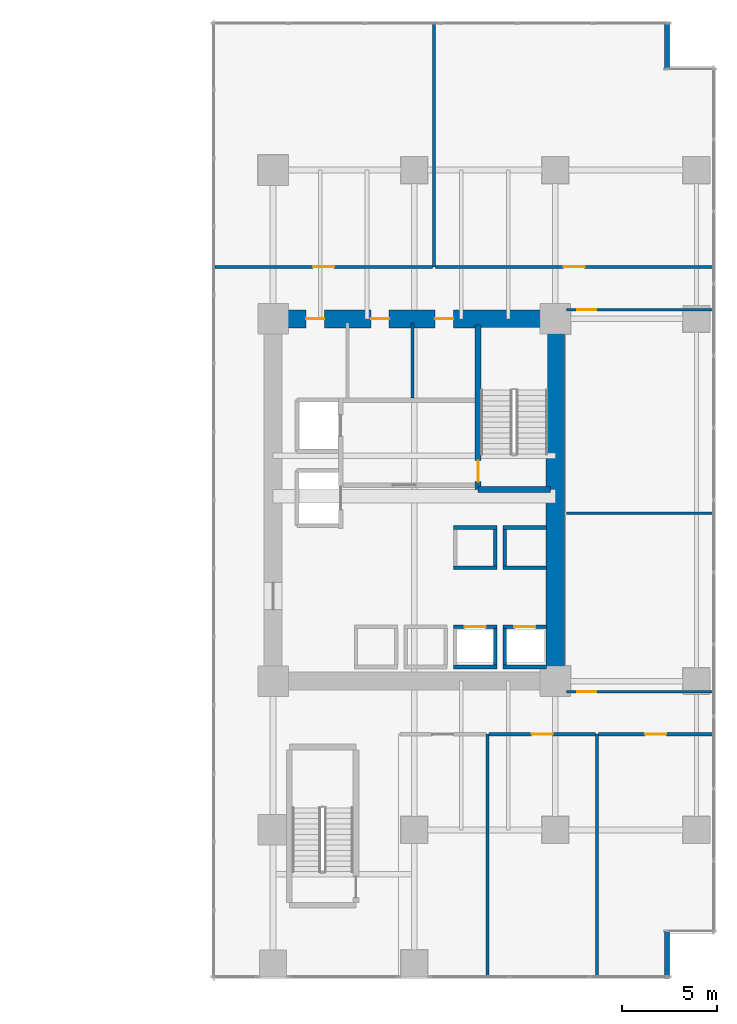
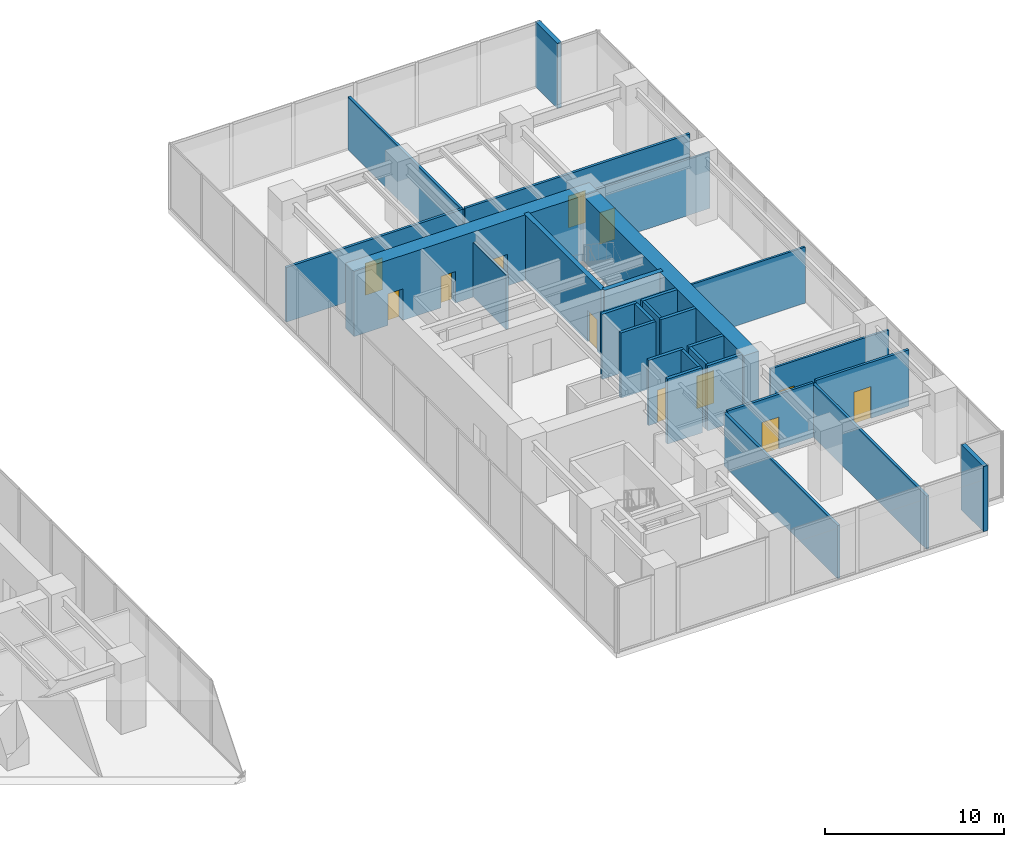
# One storey, part 27 of 33: 29 walls, 12 doors, 12 openings.
"""IFC4 building model written with IfcOpenShell, lengths in metres."""

from ifc_helpers import new_model, si_unit, direction, frame, frame_2d, origin, place, context, subcontext, project, spatial, rectangle, extrude, source, transform, mapped, material, layer, layer_set, type_object, type_shapes, element, fill, save


model = new_model("IFC4")

# Units and contexts
model_context = context("Model", 3, precision=1e-05, world=origin(), true_north=direction((0.0, 1.0)))
body_context = subcontext(model_context, "Body", "Model", "MODEL_VIEW")
ifc_project = project(units=[si_unit("LENGTHUNIT", "METRE"), si_unit("AREAUNIT", "SQUARE_METRE"), si_unit("VOLUMEUNIT", "CUBIC_METRE"), si_unit("PLANEANGLEUNIT", "RADIAN"), si_unit("MASSUNIT", "GRAM", prefix="KILO")], contexts=[model_context])

# Site, building, storey
site_placement = place(None, origin())
site = spatial("IfcSite", under=ifc_project, at=site_placement, CompositionType="ELEMENT")
building_placement = place(site_placement, origin())
building = spatial("IfcBuilding", under=site, at=building_placement, Name="Haelvirn Gate Laboratories", CompositionType="ELEMENT")
storey_placement = place(building_placement, frame((0.0, 0.0, 10.199951171875)))
storey = spatial("IfcBuildingStorey", under=building, at=storey_placement, Name="L03", CompositionType="ELEMENT", Elevation=10.199951171875)

# Walls
ifc_material_1 = material(Name="Thermally-broken bronze aluminium rainscreen & mineral wool", Category="aluminium")
ifc_layer_1 = layer(ifc_material_1, 0.280029296875, Name="EW-TERR-280")
ifc_layer_set_1 = layer_set([ifc_layer_1], Name="Thermally-broken bronze aluminium rainscreen & mineral wool")
wall_type_1 = type_object("IfcWallType", Name="EW-TERR-280", PredefinedType="STANDARD", material=ifc_layer_set_1)
wall_1_placement = place(storey_placement, frame((73.260009765625, -0.800048828125, 0.0), z_axis=(0.0, 0.0, 1.0), x_axis=(0.0, 1.0, 0.0)))
element("IfcWall", 1, at=wall_1_placement, inside=storey, type_object=wall_type_1, Name="L03 Atrium Recess Bronze Return Wall 01", PredefinedType="STANDARD", context=body_context, shape_type="SweptSolid", body=[
    extrude(rectangle(XDim=2.488037109375, YDim=0.280029296875, at=frame_2d((1.244140625, 0.0))), origin(), (0.0, 0.0, 1.0), 4.449951171875),
])
wall_2_placement = place(storey_placement, frame((73.260009765625, 46.912109375, 0.0), z_axis=(0.0, 0.0, 1.0), x_axis=(0.0, 1.0, 0.0)))
element("IfcWall", 2, at=wall_2_placement, inside=storey, type_object=wall_type_1, Name="L03 Atrium Recess Bronze Return Wall 05", PredefinedType="STANDARD", context=body_context, shape_type="SweptSolid", body=[
    extrude(rectangle(XDim=2.48779296875, YDim=0.280029296875, at=frame_2d((1.243896484375, 0.0))), origin(), (0.0, 0.0, 1.0), 4.449951171875),
])
ifc_material_2 = material(Name="Acoustic mineral-wool gypsum board partition", Category="gypsum")
ifc_layer_2 = layer(ifc_material_2, 0.139892578125, Name="IW-PART-140")
ifc_layer_set_2 = layer_set([ifc_layer_2], Name="Acoustic mineral-wool gypsum board partition")
wall_type_2 = type_object("IfcWallType", Name="IW-PART-140", PredefinedType="PARTITIONING", material=ifc_layer_set_2)
wall_3_placement = place(storey_placement, frame((68.0, 23.60009765625, 0.0), z_axis=(0.0, 0.0, 1.0), x_axis=(1.0, 0.0, 0.0)))
element("IfcWall", 3, at=wall_3_placement, inside=storey, type_object=wall_type_2, Name="L03 Interior Wall IW-L03-PODOUT-MID-E", PredefinedType="PARTITIONING", context=body_context, shape_type="SweptSolid", body=[
    extrude(rectangle(XDim=7.64990234375, YDim=0.139892578125, at=frame_2d((3.824951171875, 0.0))), origin(), (0.0, 0.0, 1.0), 3.8349609375),
])

# Wall, opening, door
wall_4_placement = place(storey_placement, frame((68.0, 14.25, 0.0), z_axis=(0.0, 0.0, 1.0), x_axis=(1.0, 0.0, 0.0)))
wall_4 = element("IfcWall", 4, at=wall_4_placement, inside=storey, type_object=wall_type_2, Name="L03 Interior Wall IW-L03-PODOUTW-E-S", PredefinedType="PARTITIONING", context=body_context, shape_type="SweptSolid", body=[
    extrude(rectangle(XDim=7.64990234375, YDim=0.139892578125, at=frame_2d((3.824951171875, 0.0))), origin(), (0.0, 0.0, 1.0), 3.8349609375),
])
opening_1_placement = place(wall_4_placement, frame((0.550048828125, 0.0, 0.0)))
opening_1 = element("IfcOpeningElement", 5, at=opening_1_placement, cuts=wall_4, Name="Opening D2", PredefinedType="OPENING", context=body_context, shape_type="SweptSolid", body=[
    extrude(rectangle(XDim=1.0, YDim=2.14990234375, at=frame_2d((0.5, 1.074951171875))), frame((0.0, 0.080078125, 0.0), z_axis=(0.0, -1.0, 0.0), x_axis=(1.0, 0.0, 0.0)), (0.0, 0.0, 1.0), 0.159912109375),
])
ifc_material_3 = material(Name="Acoustic solid-core timber suite door", Category="wood")
door_type_1 = type_object("IfcDoorType", Name="DR-INT-1000", OperationType="NOTDEFINED", PredefinedType="DOOR", material=ifc_material_3)
shared_shape_1 = source(origin(), body_context, "Body", "SweptSolid", [
    extrude(rectangle(XDim=1.0, YDim=2.14990234375, at=frame_2d((0.5, 1.074951171875))), frame((0.0, 0.02490234375, 0.0), z_axis=(0.0, -1.0, 0.0), x_axis=(1.0, 0.0, 0.0)), (0.0, 0.0, 1.0), 0.050048828125),
])
type_shapes(door_type_1, [shared_shape_1])
door_1_placement = place(opening_1_placement, origin())
door_1 = element("IfcDoor", 6, at=door_1_placement, inside=storey, type_object=door_type_1, Name="L03 Researcher Break Pantry Outer Wing Door", OperationType="SINGLE_SWING_LEFT", OverallHeight=2.14990234375, OverallWidth=1.0, PredefinedType="DOOR", context=body_context, shape_type="MappedRepresentation", body=[
    mapped(shared_shape_1, transform((0.0, 0.0, 0.0), scale=1.0)),
])
fill(opening_1, door_1)

wall_5_placement = place(storey_placement, frame((68.0, 34.280029296875, 0.0), z_axis=(0.0, 0.0, 1.0), x_axis=(1.0, 0.0, 0.0)))
wall_5 = element("IfcWall", 7, at=wall_5_placement, inside=storey, type_object=wall_type_2, Name="L03 Interior Wall IW-L03-PODOUTW-E-N", PredefinedType="PARTITIONING", context=body_context, shape_type="SweptSolid", body=[
    extrude(rectangle(XDim=7.64990234375, YDim=0.139892578125, at=frame_2d((3.824951171875, 0.0))), origin(), (0.0, 0.0, 1.0), 3.8349609375),
])
opening_2_placement = place(wall_5_placement, frame((0.550048828125, 0.0, 0.0)))
opening_2 = element("IfcOpeningElement", 8, at=opening_2_placement, cuts=wall_5, Name="Opening D2", PredefinedType="OPENING", context=body_context, shape_type="SweptSolid", body=[
    extrude(rectangle(XDim=1.0, YDim=2.14990234375, at=frame_2d((0.5, 1.074951171875))), frame((0.0, 0.080078125, 0.0), z_axis=(0.0, -1.0, 0.0), x_axis=(1.0, 0.0, 0.0)), (0.0, 0.0, 1.0), 0.159912109375),
])
door_2_placement = place(opening_2_placement, origin())
door_2 = element("IfcDoor", 9, at=door_2_placement, inside=storey, type_object=door_type_1, Name="L03 Analytical Instrument Suite Outer Wing Door", OperationType="SINGLE_SWING_RIGHT", OverallHeight=2.14990234375, OverallWidth=1.0, PredefinedType="DOOR", context=body_context, shape_type="MappedRepresentation", body=[
    mapped(shared_shape_1, transform((0.0, 0.0, 0.0), scale=1.0)),
])
fill(opening_2, door_2)

# Wall
ifc_material_4 = material(Name="Moisture-resistant gypsum laboratory partition", Category="gypsum")
ifc_layer_3 = layer(ifc_material_4, 0.1650390625, Name="IW-PART-160")
ifc_layer_set_3 = layer_set([ifc_layer_3], Name="Moisture-resistant gypsum laboratory partition")
wall_type_3 = type_object("IfcWallType", Name="IW-PART-160", PredefinedType="PARTITIONING", material=ifc_layer_set_3)
wall_6_placement = place(storey_placement, frame((63.842041015625, -0.68994140625, 0.0), z_axis=(0.0, 0.0, 1.0), x_axis=(0.0, 1.0, 0.0)))
element("IfcWall", 10, at=wall_6_placement, inside=storey, type_object=wall_type_3, Name="L03 Interior Wall IW-L03-PODSDIV-E-1", PredefinedType="PARTITIONING", context=body_context, shape_type="SweptSolid", body=[
    extrude(rectangle(XDim=12.7099609375, YDim=0.1650390625, at=frame_2d((6.35498046875, 0.0))), origin(), (0.0, 0.0, 1.0), 3.635009765625),
])

# Wall, opening, door
wall_7_placement = place(storey_placement, frame((63.922119140625, 12.02001953125, 0.0), z_axis=(0.0, 0.0, 1.0), x_axis=(1.0, 0.0, 0.0)))
wall_7 = element("IfcWall", 11, at=wall_7_placement, inside=storey, type_object=wall_type_3, Name="L03 Interior Wall IW-L03-PODS-E-2", PredefinedType="PARTITIONING", context=body_context, shape_type="SweptSolid", body=[
    extrude(rectangle(XDim=5.579833984375, YDim=0.1650390625, at=frame_2d((2.7900390625, 0.0))), origin(), (0.0, 0.0, 1.0), 3.735107421875),
])
opening_3_placement = place(wall_7_placement, frame((2.239990234375, 0.0, 0.0)))
opening_3 = element("IfcOpeningElement", 12, at=opening_3_placement, cuts=wall_7, Name="Opening D1", PredefinedType="OPENING", context=body_context, shape_type="SweptSolid", body=[
    extrude(rectangle(XDim=1.10009765625, YDim=2.179931640625, at=frame_2d((0.550048828125, 1.08984375))), frame((0.0, 0.092529296875, 0.0), z_axis=(0.0, -1.0, 0.0), x_axis=(1.0, 0.0, 0.0)), (0.0, 0.0, 1.0), 0.18505859375),
])
ifc_material_5 = material(Name="Vision-panel acoustic solid-core timber lab door", Category="wood")
door_type_2 = type_object("IfcDoorType", Name="DR-LAB-1100", OperationType="NOTDEFINED", PredefinedType="DOOR", material=ifc_material_5)
shared_shape_2 = source(origin(), body_context, "Body", "SweptSolid", [
    extrude(rectangle(XDim=1.10009765625, YDim=2.179931640625, at=frame_2d((0.550048828125, 1.08984375))), frame((0.0, 0.02490234375, 0.0), z_axis=(0.0, -1.0, 0.0), x_axis=(1.0, 0.0, 0.0)), (0.0, 0.0, 1.0), 0.050048828125),
])
type_shapes(door_type_2, [shared_shape_2])
door_3_placement = place(opening_3_placement, origin())
door_3 = element("IfcDoor", 13, at=door_3_placement, inside=storey, type_object=door_type_2, Name="L03 Cryo-Preservation Bio-Repository Laboratory Door", OperationType="SINGLE_SWING_RIGHT", OverallHeight=2.179931640625, OverallWidth=1.10009765625, PredefinedType="DOOR", context=body_context, shape_type="MappedRepresentation", body=[
    mapped(shared_shape_2, transform((0.0, 0.0, 0.0), scale=1.0)),
])
fill(opening_3, door_3)

# Wall
wall_8_placement = place(storey_placement, frame((69.58203125, -0.68994140625, 0.0), z_axis=(0.0, 0.0, 1.0), x_axis=(0.0, 1.0, 0.0)))
element("IfcWall", 14, at=wall_8_placement, inside=storey, type_object=wall_type_3, Name="L03 Interior Wall IW-L03-PODSDIV-E-2", PredefinedType="PARTITIONING", context=body_context, shape_type="SweptSolid", body=[
    extrude(rectangle(XDim=12.7099609375, YDim=0.1650390625, at=frame_2d((6.35498046875, 0.0))), origin(), (0.0, 0.0, 1.0), 3.635009765625),
])

# Wall, opening, door
wall_9_placement = place(storey_placement, frame((69.662109375, 12.02001953125, 0.0), z_axis=(0.0, 0.0, 1.0), x_axis=(1.0, 0.0, 0.0)))
wall_9 = element("IfcWall", 15, at=wall_9_placement, inside=storey, type_object=wall_type_3, Name="L03 Interior Wall IW-L03-PODS-E-3", PredefinedType="PARTITIONING", context=body_context, shape_type="SweptSolid", body=[
    extrude(rectangle(XDim=5.98779296875, YDim=0.1650390625, at=frame_2d((2.993896484375, 0.0))), origin(), (0.0, 0.0, 1.0), 3.8349609375),
])
opening_4_placement = place(wall_9_placement, frame((2.444091796875, 0.0, 0.0)))
opening_4 = element("IfcOpeningElement", 16, at=opening_4_placement, cuts=wall_9, Name="Opening D1", PredefinedType="OPENING", context=body_context, shape_type="SweptSolid", body=[
    extrude(rectangle(XDim=1.10009765625, YDim=2.179931640625, at=frame_2d((0.550048828125, 1.08984375))), frame((0.0, 0.092529296875, 0.0), z_axis=(0.0, -1.0, 0.0), x_axis=(1.0, 0.0, 0.0)), (0.0, 0.0, 1.0), 0.18505859375),
])
door_4_placement = place(opening_4_placement, origin())
door_4 = element("IfcDoor", 17, at=door_4_placement, inside=storey, type_object=door_type_2, Name="L03 Researcher Break Pantry Door", OperationType="SINGLE_SWING_LEFT", OverallHeight=2.179931640625, OverallWidth=1.10009765625, PredefinedType="DOOR", context=body_context, shape_type="MappedRepresentation", body=[
    mapped(shared_shape_2, transform((0.0, 0.0, 0.0), scale=1.0)),
])
fill(opening_4, door_4)

wall_10_placement = place(storey_placement, frame((49.550048828125, 36.52001953125, 0.0), z_axis=(0.0, 0.0, 1.0), x_axis=(1.0, 0.0, 0.0)))
wall_10 = element("IfcWall", 18, at=wall_10_placement, inside=storey, type_object=wall_type_3, Name="L03 Interior Wall IW-L03-PODN-E-1", PredefinedType="PARTITIONING", context=body_context, shape_type="SweptSolid", body=[
    extrude(rectangle(XDim=11.404052734375, YDim=0.1650390625, at=frame_2d((5.7021484375, 0.0))), origin(), (0.0, 0.0, 1.0), 3.735107421875),
])
opening_5_placement = place(wall_10_placement, frame((5.152099609375, 0.0, 0.0)))
opening_5 = element("IfcOpeningElement", 19, at=opening_5_placement, cuts=wall_10, Name="Opening D1", PredefinedType="OPENING", context=body_context, shape_type="SweptSolid", body=[
    extrude(rectangle(XDim=1.10009765625, YDim=2.179931640625, at=frame_2d((0.550048828125, 1.08984375))), frame((0.0, 0.092529296875, 0.0), z_axis=(0.0, -1.0, 0.0), x_axis=(1.0, 0.0, 0.0)), (0.0, 0.0, 1.0), 0.18505859375),
])
door_5_placement = place(opening_5_placement, origin())
door_5 = element("IfcDoor", 20, at=door_5_placement, inside=storey, type_object=door_type_2, Name="L03 Bioprocess Foundry Laboratory North Door", OperationType="SINGLE_SWING_RIGHT", OverallHeight=2.179931640625, OverallWidth=1.10009765625, PredefinedType="DOOR", context=body_context, shape_type="MappedRepresentation", body=[
    mapped(shared_shape_2, transform((0.0, 0.0, 0.0), scale=1.0)),
])
fill(opening_5, door_5)

# Wall
wall_11_placement = place(storey_placement, frame((61.033935546875, 36.52001953125, 0.0), z_axis=(0.0, 0.0, 1.0), x_axis=(0.0, 1.0, 0.0)))
element("IfcWall", 21, at=wall_11_placement, inside=storey, type_object=wall_type_3, Name="L03 Interior Wall IW-L03-PODNDIV-E-1", PredefinedType="PARTITIONING", context=body_context, shape_type="SweptSolid", body=[
    extrude(rectangle(XDim=12.77001953125, YDim=0.1650390625, at=frame_2d((6.385009765625, 0.0))), origin(), (0.0, 0.0, 1.0), 3.635009765625),
])

# Wall, opening, door
wall_12_placement = place(storey_placement, frame((61.114013671875, 36.52001953125, 0.0), z_axis=(0.0, 0.0, 1.0), x_axis=(1.0, 0.0, 0.0)))
wall_12 = element("IfcWall", 22, at=wall_12_placement, inside=storey, type_object=wall_type_3, Name="L03 Interior Wall IW-L03-PODN-E-2", PredefinedType="PARTITIONING", context=body_context, shape_type="SweptSolid", body=[
    extrude(rectangle(XDim=14.535888671875, YDim=0.1650390625, at=frame_2d((7.26806640625, 0.0))), origin(), (0.0, 0.0, 1.0), 3.735107421875),
])
opening_6_placement = place(wall_12_placement, frame((6.718017578125, 0.0, 0.0)))
opening_6 = element("IfcOpeningElement", 23, at=opening_6_placement, cuts=wall_12, Name="Opening D1", PredefinedType="OPENING", context=body_context, shape_type="SweptSolid", body=[
    extrude(rectangle(XDim=1.10009765625, YDim=2.179931640625, at=frame_2d((0.550048828125, 1.08984375))), frame((0.0, 0.092529296875, 0.0), z_axis=(0.0, -1.0, 0.0), x_axis=(1.0, 0.0, 0.0)), (0.0, 0.0, 1.0), 0.18505859375),
])
door_6_placement = place(opening_6_placement, origin())
door_6 = element("IfcDoor", 24, at=door_6_placement, inside=storey, type_object=door_type_2, Name="L03 Genomics Assay Laboratory North Door", OperationType="SINGLE_SWING_LEFT", OverallHeight=2.179931640625, OverallWidth=1.10009765625, PredefinedType="DOOR", context=body_context, shape_type="MappedRepresentation", body=[
    mapped(shared_shape_2, transform((0.0, 0.0, 0.0), scale=1.0)),
])
fill(opening_6, door_6)

# Walls
ifc_material_6 = material(Name="Cement-board restroom plumbing chase wall", Category="gypsum")
ifc_layer_4 = layer(ifc_material_6, 0.155029296875, Name="IW-PLUMB-160")
ifc_layer_set_4 = layer_set([ifc_layer_4], Name="Cement-board restroom plumbing chase wall")
wall_type_4 = type_object("IfcWallType", Name="IW-PLUMB-160", PredefinedType="PLUMBINGWALL", material=ifc_layer_set_4)
wall_13_placement = place(storey_placement, frame((59.909912109375, 29.64990234375, 0.0), z_axis=(0.0, 0.0, 1.0), x_axis=(0.0, 1.0, 0.0)))
element("IfcWall", 25, at=wall_13_placement, inside=storey, type_object=wall_type_4, Name="L03 Interior Wall IW-L03-E-CDIV-1", PredefinedType="PLUMBINGWALL", context=body_context, shape_type="SweptSolid", body=[
    extrude(rectangle(XDim=3.93017578125, YDim=0.155029296875, at=frame_2d((1.965087890625, 0.0))), origin(), (0.0, 0.0, 1.0), 3.735107421875),
])
ifc_material_7 = material(Name="Concrete C40/50", Category="concrete")
ifc_layer_5 = layer(ifc_material_7, 0.179931640625, Name="IW-SHAFT-180")
ifc_layer_set_5 = layer_set([ifc_layer_5], Name="Concrete C40/50")
wall_type_5 = type_object("IfcWallType", Name="IW-SHAFT-180", PredefinedType="SOLIDWALL", material=ifc_layer_set_5)
for number, where, z_axis, x_axis, name in (
    (26, (64.75, 15.64990234375, 0.0), (0.0, 0.0, 1.0), (0.0, 1.0, 0.0), "L03 Interior Wall IW-L03-PL3-SD"),
    (27, (64.25, 15.64990234375, 0.0), (0.0, 0.0, 1.0), (0.0, 1.0, 0.0), "L03 Interior Wall IW-L03-PL4-SDE"),
):
    element("IfcWall", number, at=place(storey_placement, frame(where, z_axis=z_axis, x_axis=x_axis)), inside=storey, type_object=wall_type_5, Name=name, PredefinedType="SOLIDWALL", context=body_context, shape_type="SweptSolid", body=[
        extrude(rectangle(XDim=1.900146484375, YDim=0.179931640625, at=frame_2d((0.9501953125, 0.0))), origin(), (0.0, 0.0, 1.0), 4.449951171875),
    ])
for number, where, z_axis, x_axis, name in (
    (28, (64.75, 20.85009765625, 0.0), (0.0, 0.0, 1.0), (0.0, 1.0, 0.0), "L03 Interior Wall IW-L03-PL11-SD"),
    (29, (64.25, 20.85009765625, 0.0), (0.0, 0.0, 1.0), (0.0, 1.0, 0.0), "L03 Interior Wall IW-L03-PL12-SDE"),
):
    element("IfcWall", number, at=place(storey_placement, frame(where, z_axis=z_axis, x_axis=x_axis)), inside=storey, type_object=wall_type_5, Name=name, PredefinedType="SOLIDWALL", context=body_context, shape_type="SweptSolid", body=[
        extrude(rectangle(XDim=1.89990234375, YDim=0.179931640625, at=frame_2d((0.949951171875, 0.0))), origin(), (0.0, 0.0, 1.0), 4.449951171875),
    ])

# Wall, opening, door
ifc_layer_6 = layer(ifc_material_7, 0.199951171875, Name="IW-SHAFT-200")
ifc_layer_set_6 = layer_set([ifc_layer_6], Name="Concrete C40/50")
wall_type_6 = type_object("IfcWallType", Name="IW-SHAFT-200", PredefinedType="SOLIDWALL", material=ifc_layer_set_6)
wall_14_placement = place(storey_placement, frame((64.669921875, 17.64990234375, 0.0), z_axis=(0.0, 0.0, 1.0), x_axis=(1.0, 0.0, 0.0)))
wall_14 = element("IfcWall", 30, at=wall_14_placement, inside=storey, type_object=wall_type_6, Name="L03 Interior Wall IW-L03-PL3-FR", PredefinedType="SOLIDWALL", context=body_context, shape_type="SweptSolid", body=[
    extrude(rectangle(XDim=2.260009765625, YDim=0.199951171875, at=frame_2d((1.1298828125, 0.0))), origin(), (0.0, 0.0, 1.0), 4.449951171875),
])
opening_7_placement = place(wall_14_placement, frame((0.580078125, 0.0, 0.0)))
opening_7 = element("IfcOpeningElement", 31, at=opening_7_placement, cuts=wall_14, Name="Opening LD2", PredefinedType="OPENING", context=body_context, shape_type="SweptSolid", body=[
    extrude(rectangle(XDim=1.10009765625, YDim=2.219970703125, at=frame_2d((0.550048828125, 1.10986328125))), frame((0.0, 0.10986328125, 0.0), z_axis=(0.0, -1.0, 0.0), x_axis=(1.0, 0.0, 0.0)), (0.0, 0.0, 1.0), 0.219970703125),
])
ifc_material_8 = material(Name="Bronze stainless 316L sliding lift landing door")
door_type_3 = type_object("IfcDoorType", Name="DR-LD-1100", OperationType="NOTDEFINED", PredefinedType="USERDEFINED", material=ifc_material_8)
shared_shape_3 = source(origin(), body_context, "Body", "SweptSolid", [
    extrude(rectangle(XDim=1.10009765625, YDim=2.219970703125, at=frame_2d((0.550048828125, 1.10986328125))), frame((0.0, 0.02490234375, 0.0), z_axis=(0.0, -1.0, 0.0), x_axis=(1.0, 0.0, 0.0)), (0.0, 0.0, 1.0), 0.050048828125),
])
type_shapes(door_type_3, [shared_shape_3])
door_7_placement = place(opening_7_placement, origin())
door_7 = element("IfcDoor", 32, at=door_7_placement, inside=storey, type_object=door_type_3, Name="L03 Passenger Lift PL3 Landing Door", ObjectType="LANDING_DOOR", OperationType="SLIDING_TO_LEFT", OverallHeight=2.219970703125, OverallWidth=1.10009765625, PredefinedType="USERDEFINED", context=body_context, shape_type="MappedRepresentation", body=[
    mapped(shared_shape_3, transform((0.0, 0.0, 0.0), scale=1.0)),
])
fill(opening_7, door_7)

# Wall
wall_15_placement = place(storey_placement, frame((64.669921875, 15.550048828125, 0.0), z_axis=(0.0, 0.0, 1.0), x_axis=(1.0, 0.0, 0.0)))
element("IfcWall", 33, at=wall_15_placement, inside=storey, type_object=wall_type_6, Name="L03 Interior Wall IW-L03-PL3-BK", PredefinedType="SOLIDWALL", context=body_context, shape_type="SweptSolid", body=[
    extrude(rectangle(XDim=2.260009765625, YDim=0.199951171875, at=frame_2d((1.1298828125, 0.0))), origin(), (0.0, 0.0, 1.0), 4.449951171875),
])

# Wall, opening, door
wall_16_placement = place(storey_placement, frame((62.070068359375, 17.64990234375, 0.0), z_axis=(0.0, 0.0, 1.0), x_axis=(1.0, 0.0, 0.0)))
wall_16 = element("IfcWall", 34, at=wall_16_placement, inside=storey, type_object=wall_type_6, Name="L03 Interior Wall IW-L03-PL4-FR", PredefinedType="SOLIDWALL", context=body_context, shape_type="SweptSolid", body=[
    extrude(rectangle(XDim=2.260009765625, YDim=0.199951171875, at=frame_2d((1.1298828125, 0.0))), origin(), (0.0, 0.0, 1.0), 4.449951171875),
])
opening_8_placement = place(wall_16_placement, frame((0.580078125, 0.0, 0.0)))
opening_8 = element("IfcOpeningElement", 35, at=opening_8_placement, cuts=wall_16, Name="Opening LD2", PredefinedType="OPENING", context=body_context, shape_type="SweptSolid", body=[
    extrude(rectangle(XDim=1.10009765625, YDim=2.219970703125, at=frame_2d((0.550048828125, 1.10986328125))), frame((0.0, 0.10986328125, 0.0), z_axis=(0.0, -1.0, 0.0), x_axis=(1.0, 0.0, 0.0)), (0.0, 0.0, 1.0), 0.219970703125),
])
door_8_placement = place(opening_8_placement, origin())
door_8 = element("IfcDoor", 36, at=door_8_placement, inside=storey, type_object=door_type_3, Name="L03 Passenger Lift PL4 Landing Door", ObjectType="LANDING_DOOR", OperationType="SLIDING_TO_RIGHT", OverallHeight=2.219970703125, OverallWidth=1.10009765625, PredefinedType="USERDEFINED", context=body_context, shape_type="MappedRepresentation", body=[
    mapped(shared_shape_3, transform((0.0, 0.0, 0.0), scale=1.0)),
])
fill(opening_8, door_8)

# Walls
for number, where, z_axis, x_axis, name in (
    (37, (62.070068359375, 15.550048828125, 0.0), (0.0, 0.0, 1.0), (1.0, 0.0, 0.0), "L03 Interior Wall IW-L03-PL4-BK"),
    (38, (64.669921875, 20.75, 0.0), (0.0, 0.0, 1.0), (1.0, 0.0, 0.0), "L03 Interior Wall IW-L03-PL11-FR"),
    (39, (64.669921875, 22.85009765625, 0.0), (0.0, 0.0, 1.0), (1.0, 0.0, 0.0), "L03 Interior Wall IW-L03-PL11-BK"),
    (40, (62.070068359375, 20.75, 0.0), (0.0, 0.0, 1.0), (1.0, 0.0, 0.0), "L03 Interior Wall IW-L03-PL12-FR"),
    (41, (62.070068359375, 22.85009765625, 0.0), (0.0, 0.0, 1.0), (1.0, 0.0, 0.0), "L03 Interior Wall IW-L03-PL12-BK"),
):
    element("IfcWall", number, at=place(storey_placement, frame(where, z_axis=z_axis, x_axis=x_axis)), inside=storey, type_object=wall_type_6, Name=name, PredefinedType="SOLIDWALL", context=body_context, shape_type="SweptSolid", body=[
        extrude(rectangle(XDim=2.260009765625, YDim=0.199951171875, at=frame_2d((1.1298828125, 0.0))), origin(), (0.0, 0.0, 1.0), 4.449951171875),
    ])

# Wall, openings, doors
ifc_material_9 = material(Name="Concrete C70/85", Category="concrete")
ifc_layer_7 = layer(ifc_material_9, 0.949951171875, Name="SW-CORE-950")
ifc_layer_set_7 = layer_set([ifc_layer_7], Name="Concrete C70/85")
wall_type_7 = type_object("IfcWallType", Name="SW-CORE-950", PredefinedType="SHEAR", material=ifc_layer_set_7)
wall_17_placement = place(storey_placement, frame((52.125, 33.800048828125, 0.0), z_axis=(0.0, 0.0, 1.0), x_axis=(1.0, 0.0, 0.0)))
wall_17 = element("IfcWall", 42, at=wall_17_placement, inside=storey, type_object=wall_type_7, Name="L03 E Core Shear Wall N", PredefinedType="SHEAR", context=body_context, shape_type="SweptSolid", body=[
    extrude(rectangle(XDim=15.75, YDim=0.949951171875, at=frame_2d((7.875, 0.0))), origin(), (0.0, 0.0, 1.0), 4.449951171875),
])
opening_9_placement = place(wall_17_placement, frame((8.97509765625, 0.0, 0.0)))
opening_9 = element("IfcOpeningElement", 43, at=opening_9_placement, cuts=wall_17, Name="Opening FD4", PredefinedType="OPENING", context=body_context, shape_type="SweptSolid", body=[
    extrude(rectangle(XDim=0.949951171875, YDim=2.14990234375, at=frame_2d((0.47509765625, 1.074951171875))), frame((0.0, 0.48486328125, 0.0), z_axis=(0.0, -1.0, 0.0), x_axis=(1.0, 0.0, 0.0)), (0.0, 0.0, 1.0), 0.969970703125),
])
opening_10_placement = place(wall_17_placement, frame((5.610107421875, 0.0, 0.0)))
opening_10 = element("IfcOpeningElement", 44, at=opening_10_placement, cuts=wall_17, Name="Opening FD4", PredefinedType="OPENING", context=body_context, shape_type="SweptSolid", body=[
    extrude(rectangle(XDim=0.949951171875, YDim=2.14990234375, at=frame_2d((0.47509765625, 1.074951171875))), frame((0.0, 0.48486328125, 0.0), z_axis=(0.0, -1.0, 0.0), x_axis=(1.0, 0.0, 0.0)), (0.0, 0.0, 1.0), 0.969970703125),
])
opening_11_placement = place(wall_17_placement, frame((2.2099609375, 0.0, 0.0)))
opening_11 = element("IfcOpeningElement", 45, at=opening_11_placement, cuts=wall_17, Name="Opening FD4", PredefinedType="OPENING", context=body_context, shape_type="SweptSolid", body=[
    extrude(rectangle(XDim=0.949951171875, YDim=2.14990234375, at=frame_2d((0.47509765625, 1.074951171875))), frame((0.0, 0.48486328125, 0.0), z_axis=(0.0, -1.0, 0.0), x_axis=(1.0, 0.0, 0.0)), (0.0, 0.0, 1.0), 0.969970703125),
])
ifc_material_10 = material(Name="Fire-rated steel SM355 core service door", Category="steel")
door_type_4 = type_object("IfcDoorType", Name="DR-FD-950", OperationType="NOTDEFINED", PredefinedType="DOOR", material=ifc_material_10)
shared_shape_4 = source(origin(), body_context, "Body", "SweptSolid", [
    extrude(rectangle(XDim=0.949951171875, YDim=2.14990234375, at=frame_2d((0.47509765625, 1.074951171875))), frame((0.0, 0.02490234375, 0.0), z_axis=(0.0, -1.0, 0.0), x_axis=(1.0, 0.0, 0.0)), (0.0, 0.0, 1.0), 0.050048828125),
])
type_shapes(door_type_4, [shared_shape_4])
door_9_placement = place(opening_9_placement, origin())
door_9 = element("IfcDoor", 46, at=door_9_placement, inside=storey, type_object=door_type_4, Name="L03 Male Restroom Fire Door", OperationType="SINGLE_SWING_RIGHT", OverallHeight=2.14990234375, OverallWidth=0.949951171875, PredefinedType="DOOR", context=body_context, shape_type="MappedRepresentation", body=[
    mapped(shared_shape_4, transform((0.0, 0.0, 0.0), scale=1.0)),
])
fill(opening_9, door_9)
door_10_placement = place(opening_10_placement, origin())
door_10 = element("IfcDoor", 47, at=door_10_placement, inside=storey, type_object=door_type_4, Name="L03 Female Restroom Fire Door", OperationType="SINGLE_SWING_LEFT", OverallHeight=2.14990234375, OverallWidth=0.949951171875, PredefinedType="DOOR", context=body_context, shape_type="MappedRepresentation", body=[
    mapped(shared_shape_4, transform((0.0, 0.0, 0.0), scale=1.0)),
])
fill(opening_10, door_10)
door_11_placement = place(opening_11_placement, origin())
door_11 = element("IfcDoor", 48, at=door_11_placement, inside=storey, type_object=door_type_4, Name="L03 Accessible Restroom Fire Door", OperationType="SINGLE_SWING_RIGHT", OverallHeight=2.14990234375, OverallWidth=0.949951171875, PredefinedType="DOOR", context=body_context, shape_type="MappedRepresentation", body=[
    mapped(shared_shape_4, transform((0.0, 0.0, 0.0), scale=1.0)),
])
fill(opening_11, door_11)

# Wall
wall_18_placement = place(storey_placement, frame((67.39990234375, 15.27490234375, 0.0), z_axis=(0.0, 0.0, 1.0), x_axis=(0.0, 1.0, 0.0)))
element("IfcWall", 49, at=wall_18_placement, inside=storey, type_object=wall_type_7, Name="L03 E Core Shear Wall E", PredefinedType="SHEAR", context=body_context, shape_type="SweptSolid", body=[
    extrude(rectangle(XDim=18.050048828125, YDim=0.949951171875, at=frame_2d((9.02490234375, 0.0))), origin(), (0.0, 0.0, 1.0), 4.449951171875),
])

# Wall, opening, door
ifc_material_11 = material(Name="Concrete C50/60", Category="concrete")
ifc_layer_8 = layer(ifc_material_11, 0.300048828125, Name="SW-STAIR-300")
ifc_layer_set_8 = layer_set([ifc_layer_8], Name="Concrete C50/60")
wall_type_8 = type_object("IfcWallType", Name="SW-STAIR-300", PredefinedType="SHEAR", material=ifc_layer_set_8)
wall_19_placement = place(storey_placement, frame((63.35009765625, 24.85009765625, 0.0), z_axis=(0.0, 0.0, 1.0), x_axis=(0.0, 1.0, 0.0)))
wall_19 = element("IfcWall", 50, at=wall_19_placement, inside=storey, type_object=wall_type_8, Name="L03 E Core Stair Shaft Structural Wall IN", PredefinedType="SHEAR", context=body_context, shape_type="SweptSolid", body=[
    extrude(rectangle(XDim=8.6298828125, YDim=0.300048828125, at=frame_2d((4.31494140625, 0.0))), origin(), (0.0, 0.0, 1.0), 4.449951171875),
])
opening_12_placement = place(wall_19_placement, frame((0.419921875, 0.0, 0.0)))
opening_12 = element("IfcOpeningElement", 51, at=opening_12_placement, cuts=wall_19, Name="Opening FD3", PredefinedType="OPENING", context=body_context, shape_type="SweptSolid", body=[
    extrude(rectangle(XDim=1.10009765625, YDim=2.14990234375, at=frame_2d((0.550048828125, 1.074951171875))), frame((0.0, 0.16015625, 0.0), z_axis=(0.0, -1.0, 0.0), x_axis=(1.0, 0.0, 0.0)), (0.0, 0.0, 1.0), 0.320068359375),
])
ifc_material_12 = material(Name="Fire-rated steel SM355 escape stair door", Category="steel")
door_type_5 = type_object("IfcDoorType", Name="DR-FD-1100", OperationType="NOTDEFINED", PredefinedType="DOOR", material=ifc_material_12)
shared_shape_5 = source(origin(), body_context, "Body", "SweptSolid", [
    extrude(rectangle(XDim=1.10009765625, YDim=2.14990234375, at=frame_2d((0.550048828125, 1.074951171875))), frame((0.0, 0.02490234375, 0.0), z_axis=(0.0, -1.0, 0.0), x_axis=(1.0, 0.0, 0.0)), (0.0, 0.0, 1.0), 0.050048828125),
])
type_shapes(door_type_5, [shared_shape_5])
door_12_placement = place(opening_12_placement, origin())
door_12 = element("IfcDoor", 52, at=door_12_placement, inside=storey, type_object=door_type_5, Name="L03 Escape Stair ST2 Fire Door", OperationType="SINGLE_SWING_RIGHT", OverallHeight=2.14990234375, OverallWidth=1.10009765625, PredefinedType="DOOR", context=body_context, shape_type="MappedRepresentation", body=[
    mapped(shared_shape_5, transform((0.0, 0.0, 0.0), scale=1.0)),
])
fill(opening_12, door_12)

# Wall
wall_20_placement = place(storey_placement, frame((63.35009765625, 24.85009765625, 0.0), z_axis=(0.0, 0.0, 1.0), x_axis=(1.0, 0.0, 0.0)))
element("IfcWall", 53, at=wall_20_placement, inside=storey, type_object=wall_type_8, Name="L03 E Core Stair Shaft Structural Wall S", PredefinedType="SHEAR", context=body_context, shape_type="SweptSolid", body=[
    extrude(rectangle(XDim=3.7998046875, YDim=0.300048828125, at=frame_2d((1.89990234375, 0.0))), origin(), (0.0, 0.0, 1.0), 4.449951171875),
])

save(model, "model.ifc")
